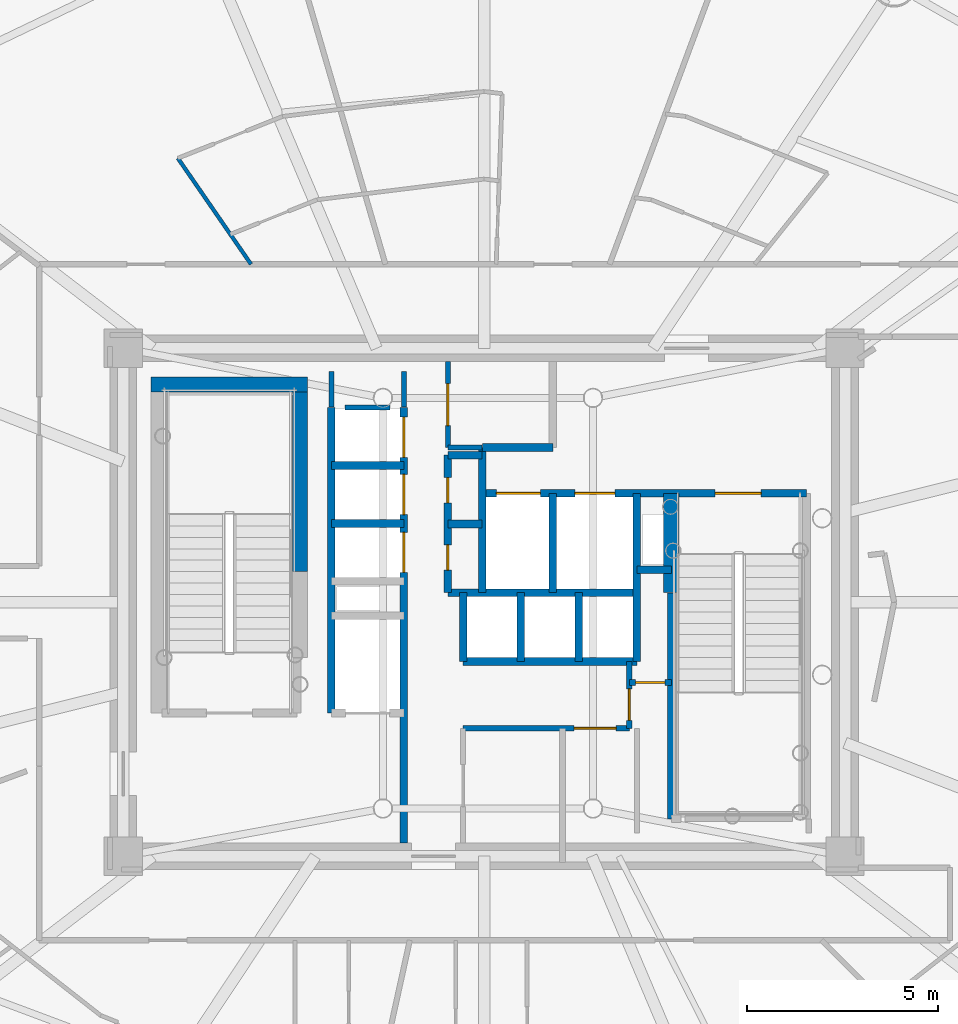
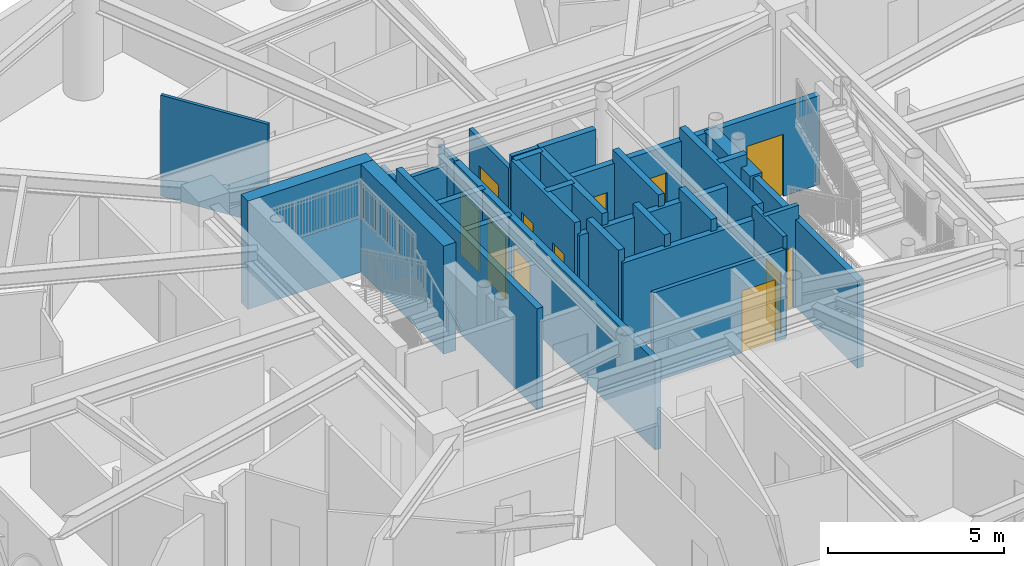
# One storey, part 9 of 20: 31 walls, 12 doors, 12 openings.
"""IFC4 building model written with IfcOpenShell, lengths in metres."""

from ifc_helpers import new_model, si_unit, direction, frame, frame_2d, origin, origin_2d, place, context, subcontext, project, spatial, rectangle, extrude, source, transform, mapped, material, layer, layer_set, type_object, element, fill, save


model = new_model("IFC4")

# Units and contexts
model_context = context("Model", 3, precision=1e-05, world=origin(), true_north=direction((0.0, 1.0)))
body_context = subcontext(model_context, "Body", "Model", "MODEL_VIEW")
ifc_project = project(units=[si_unit("LENGTHUNIT", "METRE"), si_unit("AREAUNIT", "SQUARE_METRE"), si_unit("VOLUMEUNIT", "CUBIC_METRE"), si_unit("PLANEANGLEUNIT", "RADIAN"), si_unit("MASSUNIT", "GRAM", prefix="KILO")], contexts=[model_context])

# Site, building, storey
site_placement = place(None, origin())
site = spatial("IfcSite", under=ifc_project, at=site_placement, CompositionType="ELEMENT")
building_placement = place(site_placement, origin())
building = spatial("IfcBuilding", under=site, at=building_placement, Name="Linh Dai School and Residence Tower", CompositionType="ELEMENT")
storey_placement = place(building_placement, frame((0.0, 0.0, 221.550048828125)))
storey = spatial("IfcBuildingStorey", under=building, at=storey_placement, Name="L54", CompositionType="ELEMENT", Elevation=221.550048828125)

# Wall, opening, door
ifc_material_1 = material(Name="Autoclaved Aerated Concrete Blockwork", Category="masonry")
ifc_layer_1 = layer(ifc_material_1, 0.135009765625)
ifc_layer_set_1 = layer_set([ifc_layer_1], Name="Autoclaved Aerated Concrete Blockwork")
wall_type_1 = type_object("IfcWallType", Name="IW-CORR-135-EI90", PredefinedType="PARTITIONING", material=ifc_layer_set_1)
wall_1_placement = place(storey_placement, frame((35.050048828125, 31.050048828125, 0.0), z_axis=(0.0, 0.0, 1.0), x_axis=(0.0, 1.0, 0.0)))
wall_1 = element("IfcWall", 1, at=wall_1_placement, inside=storey, type_object=wall_type_1, Name="L54 Interior Partition Wall 049", PredefinedType="PARTITIONING", context=body_context, shape_type="SweptSolid", body=[
    extrude(rectangle(XDim=2.25, YDim=0.135009765625, at=frame_2d((1.125, 0.0))), origin(), (0.0, 0.0, 1.0), 3.0849609375),
])
opening_1_placement = place(wall_1_placement, frame((0.574951171875, 0.0, 0.0)))
opening_1 = element("IfcOpeningElement", 2, at=opening_1_placement, cuts=wall_1, Name="Opening D07", PredefinedType="OPENING", context=body_context, shape_type="SweptSolid", body=[
    extrude(rectangle(XDim=1.10009765625, YDim=2.14990234375, at=origin_2d()), frame((0.550048828125, 0.07763671875, 1.074951171875), z_axis=(0.0, -1.0, 0.0), x_axis=(1.0, 0.0, 0.0)), (0.0, 0.0, 1.0), 0.155029296875),
])
ifc_material_2 = material(Name="Fire-Rated Louvred Steel Plant Door", Category="steel")
door_type_1 = type_object("IfcDoorType", Name="DR-PLT-1100x2150-FD60S", OperationType="NOTDEFINED", PredefinedType="DOOR", material=ifc_material_2)
shared_shape_1 = source(origin(), body_context, "Body", "SweptSolid", [
    extrude(rectangle(XDim=1.10009765625, YDim=2.14990234375, at=origin_2d()), frame((0.550048828125, 0.02490234375, 1.074951171875), z_axis=(0.0, -1.0, 0.0), x_axis=(1.0, 0.0, 0.0)), (0.0, 0.0, 1.0), 0.050048828125),
])
door_1_placement = place(opening_1_placement, origin())
door_1 = element("IfcDoor", 3, at=door_1_placement, inside=storey, type_object=door_type_1, Name="L54 North Telecom Switchroom Door", OperationType="SINGLE_SWING_RIGHT", OverallHeight=2.14990234375, OverallWidth=1.10009765625, PredefinedType="DOOR", context=body_context, shape_type="MappedRepresentation", body=[
    mapped(shared_shape_1, transform((0.0, 0.0, 0.0), x_axis=(1.0, 0.0, 0.0), y_axis=(0.0, 1.0, 0.0), z_axis=(0.0, 0.0, 1.0), scale=1.0)),
])
fill(opening_1, door_1)

# Wall
wall_2_placement = place(storey_placement, frame((35.050048828125, 31.050048828125, 0.0), z_axis=(0.0, 0.0, 1.0), x_axis=(1.0, 0.0, 0.0)))
element("IfcWall", 4, at=wall_2_placement, inside=storey, type_object=wall_type_1, Name="L54 Interior Partition Wall 050", PredefinedType="PARTITIONING", context=body_context, shape_type="SweptSolid", body=[
    extrude(rectangle(XDim=0.89990234375, YDim=0.135009765625, at=frame_2d((0.449951171875, 0.0))), origin(), (0.0, 0.0, 1.0), 3.5),
])

# Wall, opening, door
wall_3_placement = place(storey_placement, frame((35.449951171875, 23.699951171875, 0.0), z_axis=(0.0, 0.0, 1.0), x_axis=(1.0, 0.0, 0.0)))
wall_3 = element("IfcWall", 5, at=wall_3_placement, inside=storey, type_object=wall_type_1, Name="L54 Interior Partition Wall 053", PredefinedType="PARTITIONING", context=body_context, shape_type="SweptSolid", body=[
    extrude(rectangle(XDim=4.35009765625, YDim=0.135009765625, at=frame_2d((2.175048828125, 0.0))), origin(), (0.0, 0.0, 1.0), 3.0849609375),
])
opening_2_placement = place(wall_3_placement, frame((2.905029296875, 0.0, 0.0)))
opening_2 = element("IfcOpeningElement", 6, at=opening_2_placement, cuts=wall_3, Name="Opening D07", PredefinedType="OPENING", context=body_context, shape_type="SweptSolid", body=[
    extrude(rectangle(XDim=1.10009765625, YDim=2.14990234375, at=origin_2d()), frame((0.550048828125, 0.07763671875, 1.074951171875), z_axis=(0.0, -1.0, 0.0), x_axis=(1.0, 0.0, 0.0)), (0.0, 0.0, 1.0), 0.155029296875),
])
door_2_placement = place(opening_2_placement, origin())
door_2 = element("IfcDoor", 7, at=door_2_placement, inside=storey, type_object=door_type_1, Name="L54 Telecom Node Room Door", OperationType="SINGLE_SWING_LEFT", OverallHeight=2.14990234375, OverallWidth=1.10009765625, PredefinedType="DOOR", context=body_context, shape_type="MappedRepresentation", body=[
    mapped(shared_shape_1, transform((0.0, 0.0, 0.0), x_axis=(1.0, 0.0, 0.0), y_axis=(0.0, 1.0, 0.0), z_axis=(0.0, 0.0, 1.0), scale=1.0)),
])
fill(opening_2, door_2)

wall_4_placement = place(storey_placement, frame((39.800048828125, 23.699951171875, 0.0), z_axis=(0.0, 0.0, 1.0), x_axis=(0.0, 1.0, 0.0)))
wall_4 = element("IfcWall", 8, at=wall_4_placement, inside=storey, type_object=wall_type_1, Name="L54 Interior Partition Wall 071", PredefinedType="PARTITIONING", context=body_context, shape_type="SweptSolid", body=[
    extrude(rectangle(XDim=1.75, YDim=0.135009765625, at=frame_2d((0.875, 0.0))), origin(), (0.0, 0.0, 1.0), 3.5),
])
opening_3_placement = place(wall_4_placement, frame((0.2099609375, 0.0, 0.0)))
opening_3 = element("IfcOpeningElement", 9, at=opening_3_placement, cuts=wall_4, Name="Opening D06", PredefinedType="OPENING", context=body_context, shape_type="SweptSolid", body=[
    extrude(rectangle(XDim=0.820068359375, YDim=2.10009765625, at=origin_2d()), frame((0.41015625, 0.07763671875, 1.050048828125), z_axis=(0.0, -1.0, 0.0), x_axis=(1.0, 0.0, 0.0)), (0.0, 0.0, 1.0), 0.155029296875),
])
ifc_material_3 = material(Name="Moisture-Resistant Timber Bathroom Door", Category="wood")
door_type_2 = type_object("IfcDoorType", Name="DR-WET-820x2100", OperationType="NOTDEFINED", PredefinedType="DOOR", material=ifc_material_3)
shared_shape_2 = source(origin(), body_context, "Body", "SweptSolid", [
    extrude(rectangle(XDim=0.820068359375, YDim=2.10009765625, at=origin_2d()), frame((0.41015625, 0.02490234375, 1.050048828125), z_axis=(0.0, -1.0, 0.0), x_axis=(1.0, 0.0, 0.0)), (0.0, 0.0, 1.0), 0.050048828125),
])
door_3_placement = place(opening_3_placement, origin())
door_3 = element("IfcDoor", 10, at=door_3_placement, inside=storey, type_object=door_type_2, Name="L54 SE Electrical Closet Door", OperationType="SINGLE_SWING_LEFT", OverallHeight=2.10009765625, OverallWidth=0.820068359375, PredefinedType="DOOR", context=body_context, shape_type="MappedRepresentation", body=[
    mapped(shared_shape_2, transform((0.0, 0.0, 0.0), x_axis=(1.0, 0.0, 0.0), y_axis=(0.0, 1.0, 0.0), z_axis=(0.0, 0.0, 1.0), scale=1.0)),
])
fill(opening_3, door_3)

# Walls
wall_5_placement = place(storey_placement, frame((32.360107421875, 32.10009765625, 0.0), z_axis=(0.0, 0.0, 1.0), x_axis=(1.0, 0.0, 0.0)))
element("IfcWall", 11, at=wall_5_placement, inside=storey, type_object=wall_type_1, Name="L54 Interior Partition Wall 100", PredefinedType="PARTITIONING", context=body_context, shape_type="SweptSolid", body=[
    extrude(rectangle(XDim=1.179931640625, YDim=0.135009765625, at=frame_2d((0.58984375, 0.0))), origin(), (0.0, 0.0, 1.0), 3.0849609375),
])
wall_6_placement = place(storey_placement, frame((32.0, 33.0400390625, 0.0), z_axis=(0.0, 0.0, 1.0), x_axis=(0.0, -1.0, 0.0)))
element("IfcWall", 12, at=wall_6_placement, inside=storey, type_object=wall_type_1, Name="L54 Interior Partition Wall 102", PredefinedType="PARTITIONING", context=body_context, shape_type="SweptSolid", body=[
    extrude(rectangle(XDim=0.929931640625, YDim=0.135009765625, at=frame_2d((0.46484375, 0.0))), origin(), (0.0, 0.0, 1.0), 3.034912109375),
])
wall_7_placement = place(storey_placement, frame((33.89990234375, 32.110107421875, 0.0), z_axis=(0.0, 0.0, 1.0), x_axis=(0.0, 1.0, 0.0)))
element("IfcWall", 13, at=wall_7_placement, inside=storey, type_object=wall_type_1, Name="L54 Interior Partition Wall 104", PredefinedType="PARTITIONING", context=body_context, shape_type="SweptSolid", body=[
    extrude(rectangle(XDim=0.929931640625, YDim=0.135009765625, at=frame_2d((0.46484375, 0.0))), origin(), (0.0, 0.0, 1.0), 3.0849609375),
])

# Wall, opening, door
ifc_layer_2 = layer(ifc_material_1, 0.14990234375)
ifc_layer_set_2 = layer_set([ifc_layer_2], Name="Autoclaved Aerated Concrete Blockwork")
wall_type_2 = type_object("IfcWallType", Name="IW-SCH-150-EI60", PredefinedType="PARTITIONING", material=ifc_layer_set_2)
wall_8_placement = place(storey_placement, frame((39.800048828125, 24.89990234375, 0.0), z_axis=(0.0, 0.0, 1.0), x_axis=(1.0, 0.0, 0.0)))
wall_8 = element("IfcWall", 14, at=wall_8_placement, inside=storey, type_object=wall_type_2, Name="L54 Interior Partition Wall 072", PredefinedType="PARTITIONING", context=body_context, shape_type="SweptSolid", body=[
    extrude(rectangle(XDim=1.099853515625, YDim=0.14990234375, at=frame_2d((0.5498046875, 0.0))), origin(), (0.0, 0.0, 1.0), 3.5),
])
opening_4_placement = place(wall_8_placement, frame((0.169921875, 0.0, 0.0)))
opening_4 = element("IfcOpeningElement", 15, at=opening_4_placement, cuts=wall_8, Name="Opening D08", PredefinedType="OPENING", context=body_context, shape_type="SweptSolid", body=[
    extrude(rectangle(XDim=0.760009765625, YDim=2.10009765625, at=origin_2d()), frame((0.3798828125, 0.0849609375, 1.050048828125), z_axis=(0.0, -1.0, 0.0), x_axis=(1.0, 0.0, 0.0)), (0.0, 0.0, 1.0), 0.169921875),
])
ifc_material_4 = material(Name="Engineered Timber Closet and Study Door", Category="wood")
door_type_3 = type_object("IfcDoorType", Name="DR-CMP-760x2100", OperationType="NOTDEFINED", PredefinedType="DOOR", material=ifc_material_4)
shared_shape_3 = source(origin(), body_context, "Body", "SweptSolid", [
    extrude(rectangle(XDim=0.760009765625, YDim=2.10009765625, at=origin_2d()), frame((0.3798828125, 0.02490234375, 1.050048828125), z_axis=(0.0, -1.0, 0.0), x_axis=(1.0, 0.0, 0.0)), (0.0, 0.0, 1.0), 0.050048828125),
])
door_4_placement = place(opening_4_placement, origin())
door_4 = element("IfcDoor", 16, at=door_4_placement, inside=storey, type_object=door_type_3, Name="L54 NE Equipment Store Door", OperationType="SINGLE_SWING_RIGHT", OverallHeight=2.10009765625, OverallWidth=0.760009765625, PredefinedType="DOOR", context=body_context, shape_type="MappedRepresentation", body=[
    mapped(shared_shape_3, transform((0.0, 0.0, 0.0), x_axis=(1.0, 0.0, 0.0), y_axis=(0.0, 1.0, 0.0), z_axis=(0.0, 0.0, 1.0), scale=1.0)),
])
fill(opening_4, door_4)

# Walls
ifc_material_5 = material(Name="Concrete B45 (C35/45)", Category="concrete")
ifc_layer_3 = layer(ifc_material_5, 0.199951171875)
ifc_layer_set_3 = layer_set([ifc_layer_3], Name="Concrete B45 (C35/45)")
wall_type_3 = type_object("IfcWallType", Name="IW-SHAFT-200-EI120", PredefinedType="PARTITIONING", material=ifc_layer_set_3)
wall_9_placement = place(storey_placement, frame((32.0, 24.10009765625, 0.0), z_axis=(0.0, 0.0, 1.0), x_axis=(0.0, 1.0, 0.0)))
element("IfcWall", 17, at=wall_9_placement, inside=storey, type_object=wall_type_3, Name="L54 Interior Partition Wall 035", PredefinedType="PARTITIONING", context=body_context, shape_type="SweptSolid", body=[
    extrude(rectangle(XDim=8.0, YDim=0.199951171875, at=frame_2d((4.0, 0.0))), origin(), (0.0, 0.0, 1.0), 3.5),
])
for number, where, z_axis, x_axis, name in (
    (18, (32.0, 29.06005859375, 0.0), (0.0, 0.0, 1.0), (1.0, 0.0, 0.0), "L54 Interior Partition Wall 039"),
    (19, (32.0, 30.580078125, 0.0), (0.0, 0.0, 1.0), (1.0, 0.0, 0.0), "L54 Interior Partition Wall 040"),
):
    element("IfcWall", number, at=place(storey_placement, frame(where, z_axis=z_axis, x_axis=x_axis)), inside=storey, type_object=wall_type_3, Name=name, PredefinedType="PARTITIONING", context=body_context, shape_type="SweptSolid", body=[
        extrude(rectangle(XDim=1.89990234375, YDim=0.199951171875, at=frame_2d((0.949951171875, 0.0))), origin(), (0.0, 0.0, 1.0), 3.0849609375),
    ])

# Wall, openings, doors
wall_10_placement = place(storey_placement, frame((33.89990234375, 20.699951171875, 0.0), z_axis=(0.0, 0.0, 1.0), x_axis=(0.0, 1.0, 0.0)))
wall_10 = element("IfcWall", 20, at=wall_10_placement, inside=storey, type_object=wall_type_3, Name="L54 Interior Partition Wall 044", PredefinedType="PARTITIONING", context=body_context, shape_type="SweptSolid", body=[
    extrude(rectangle(XDim=11.400146484375, YDim=0.199951171875, at=frame_2d((5.7001953125, 0.0))), origin(), (0.0, 0.0, 1.0), 3.0849609375),
])
opening_5_placement = place(wall_10_placement, frame((7.080078125, 0.0, 0.0)))
opening_5 = element("IfcOpeningElement", 21, at=opening_5_placement, cuts=wall_10, Name="Opening LD-PL4", PredefinedType="OPENING", context=body_context, shape_type="SweptSolid", body=[
    extrude(rectangle(XDim=1.050048828125, YDim=2.14990234375, at=origin_2d()), frame((0.52490234375, 0.10986328125, 1.074951171875), z_axis=(0.0, -1.0, 0.0), x_axis=(1.0, 0.0, 0.0)), (0.0, 0.0, 1.0), 0.219970703125),
])
opening_6_placement = place(wall_10_placement, frame((8.594970703125, 0.0, 0.0)))
opening_6 = element("IfcOpeningElement", 22, at=opening_6_placement, cuts=wall_10, Name="Opening LD-PL5", PredefinedType="OPENING", context=body_context, shape_type="SweptSolid", body=[
    extrude(rectangle(XDim=1.050048828125, YDim=2.14990234375, at=origin_2d()), frame((0.52490234375, 0.10986328125, 1.074951171875), z_axis=(0.0, -1.0, 0.0), x_axis=(1.0, 0.0, 0.0)), (0.0, 0.0, 1.0), 0.219970703125),
])
opening_7_placement = place(wall_10_placement, frame((10.094970703125, 0.0, 0.0)))
opening_7 = element("IfcOpeningElement", 23, at=opening_7_placement, cuts=wall_10, Name="Opening LD-PL6", PredefinedType="OPENING", context=body_context, shape_type="SweptSolid", body=[
    extrude(rectangle(XDim=1.050048828125, YDim=2.14990234375, at=origin_2d()), frame((0.52490234375, 0.10986328125, 1.074951171875), z_axis=(0.0, -1.0, 0.0), x_axis=(1.0, 0.0, 0.0)), (0.0, 0.0, 1.0), 0.219970703125),
])
ifc_material_6 = material(Name="Brushed Stainless Steel Lift Landing Door", Category="steel")
door_type_4 = type_object("IfcDoorType", Name="DR-LD-PASS-1050x2150", OperationType="DOUBLE_DOOR_SLIDING", PredefinedType="USERDEFINED", material=ifc_material_6)
shared_shape_4 = source(origin(), body_context, "Body", "SweptSolid", [
    extrude(rectangle(XDim=1.050048828125, YDim=2.14990234375, at=origin_2d()), frame((0.52490234375, 0.02490234375, 1.074951171875), z_axis=(0.0, -1.0, 0.0), x_axis=(1.0, 0.0, 0.0)), (0.0, 0.0, 1.0), 0.050048828125),
])
door_5_placement = place(opening_5_placement, origin())
door_5 = element("IfcDoor", 24, at=door_5_placement, inside=storey, type_object=door_type_4, Name="L54 Lift PL4 Sliding Landing Door", ObjectType="LANDING DOOR", OperationType="DOUBLE_DOOR_SLIDING", OverallHeight=2.14990234375, OverallWidth=1.050048828125, PredefinedType="USERDEFINED", context=body_context, shape_type="MappedRepresentation", body=[
    mapped(shared_shape_4, transform((0.0, 0.0, 0.0), x_axis=(1.0, 0.0, 0.0), y_axis=(0.0, 1.0, 0.0), z_axis=(0.0, 0.0, 1.0), scale=1.0)),
])
fill(opening_5, door_5)
door_6_placement = place(opening_6_placement, origin())
door_6 = element("IfcDoor", 25, at=door_6_placement, inside=storey, type_object=door_type_4, Name="L54 Lift PL5 Sliding Landing Door", ObjectType="LANDING DOOR", OperationType="DOUBLE_DOOR_SLIDING", OverallHeight=2.14990234375, OverallWidth=1.050048828125, PredefinedType="USERDEFINED", context=body_context, shape_type="MappedRepresentation", body=[
    mapped(shared_shape_4, transform((0.0, 0.0, 0.0), x_axis=(1.0, 0.0, 0.0), y_axis=(0.0, 1.0, 0.0), z_axis=(0.0, 0.0, 1.0), scale=1.0)),
])
fill(opening_6, door_6)
door_7_placement = place(opening_7_placement, origin())
door_7 = element("IfcDoor", 26, at=door_7_placement, inside=storey, type_object=door_type_4, Name="L54 Lift PL6 Sliding Landing Door", ObjectType="LANDING DOOR", OperationType="DOUBLE_DOOR_SLIDING", OverallHeight=2.14990234375, OverallWidth=1.050048828125, PredefinedType="USERDEFINED", context=body_context, shape_type="MappedRepresentation", body=[
    mapped(shared_shape_4, transform((0.0, 0.0, 0.0), x_axis=(1.0, 0.0, 0.0), y_axis=(0.0, 1.0, 0.0), z_axis=(0.0, 0.0, 1.0), scale=1.0)),
])
fill(opening_7, door_7)

wall_11_placement = place(storey_placement, frame((35.050048828125, 27.25, 0.0), z_axis=(0.0, 0.0, 1.0), x_axis=(0.0, 1.0, 0.0)))
wall_11 = element("IfcWall", 27, at=wall_11_placement, inside=storey, type_object=wall_type_3, Name="L54 Interior Partition Wall 045", PredefinedType="PARTITIONING", context=body_context, shape_type="SweptSolid", body=[
    extrude(rectangle(XDim=3.60009765625, YDim=0.199951171875, at=frame_2d((1.800048828125, 0.0))), origin(), (0.0, 0.0, 1.0), 3.5),
])
opening_8_placement = place(wall_11_placement, frame((0.590087890625, 0.0, 0.0)))
opening_8 = element("IfcOpeningElement", 28, at=opening_8_placement, cuts=wall_11, Name="Opening AD1", PredefinedType="OPENING", context=body_context, shape_type="SweptSolid", body=[
    extrude(rectangle(XDim=0.659912109375, YDim=2.050048828125, at=origin_2d()), frame((0.330078125, 0.10986328125, 1.02490234375), z_axis=(0.0, -1.0, 0.0), x_axis=(1.0, 0.0, 0.0)), (0.0, 0.0, 1.0), 0.219970703125),
])
opening_9_placement = place(wall_11_placement, frame((2.35009765625, 0.0, 0.0)))
opening_9 = element("IfcOpeningElement", 29, at=opening_9_placement, cuts=wall_11, Name="Opening AD1", PredefinedType="OPENING", context=body_context, shape_type="SweptSolid", body=[
    extrude(rectangle(XDim=0.659912109375, YDim=2.050048828125, at=origin_2d()), frame((0.330078125, 0.10986328125, 1.02490234375), z_axis=(0.0, -1.0, 0.0), x_axis=(1.0, 0.0, 0.0)), (0.0, 0.0, 1.0), 0.219970703125),
])
ifc_material_7 = material(Name="Fire-Rated Steel Riser Access Door", Category="steel")
door_type_5 = type_object("IfcDoorType", Name="DR-ACC-660x2050-FD90S", OperationType="NOTDEFINED", PredefinedType="USERDEFINED", material=ifc_material_7)
shared_shape_5 = source(origin(), body_context, "Body", "SweptSolid", [
    extrude(rectangle(XDim=0.659912109375, YDim=2.050048828125, at=origin_2d()), frame((0.330078125, 0.02490234375, 1.02490234375), z_axis=(0.0, -1.0, 0.0), x_axis=(1.0, 0.0, 0.0)), (0.0, 0.0, 1.0), 0.050048828125),
])
door_8_placement = place(opening_8_placement, origin())
door_8 = element("IfcDoor", 30, at=door_8_placement, inside=storey, type_object=door_type_5, Name="L54 Telecom and Data Riser Access Door", ObjectType="ACCESS DOOR", OperationType="SINGLE_SWING_RIGHT", OverallHeight=2.050048828125, OverallWidth=0.659912109375, PredefinedType="USERDEFINED", context=body_context, shape_type="MappedRepresentation", body=[
    mapped(shared_shape_5, transform((0.0, 0.0, 0.0), x_axis=(1.0, 0.0, 0.0), y_axis=(0.0, 1.0, 0.0), z_axis=(0.0, 0.0, 1.0), scale=1.0)),
])
fill(opening_8, door_8)
door_9_placement = place(opening_9_placement, origin())
door_9 = element("IfcDoor", 31, at=door_9_placement, inside=storey, type_object=door_type_5, Name="L54 Mechanical and Plumbing Riser Access Door", ObjectType="ACCESS DOOR", OperationType="SINGLE_SWING_LEFT", OverallHeight=2.050048828125, OverallWidth=0.659912109375, PredefinedType="USERDEFINED", context=body_context, shape_type="MappedRepresentation", body=[
    mapped(shared_shape_5, transform((0.0, 0.0, 0.0), x_axis=(1.0, 0.0, 0.0), y_axis=(0.0, 1.0, 0.0), z_axis=(0.0, 0.0, 1.0), scale=1.0)),
])
fill(opening_9, door_9)

# Walls
wall_12_placement = place(storey_placement, frame((35.050048828125, 27.25, 0.0), z_axis=(0.0, 0.0, 1.0), x_axis=(1.0, 0.0, 0.0)))
element("IfcWall", 32, at=wall_12_placement, inside=storey, type_object=wall_type_3, Name="L54 Interior Partition Wall 046", PredefinedType="PARTITIONING", context=body_context, shape_type="SweptSolid", body=[
    extrude(rectangle(XDim=4.949951171875, YDim=0.199951171875, at=frame_2d((2.47509765625, 0.0))), origin(), (0.0, 0.0, 1.0), 3.0849609375),
])
for number, where, z_axis, x_axis, name in (
    (33, (35.050048828125, 29.050048828125, 0.0), (0.0, 0.0, 1.0), (1.0, 0.0, 0.0), "L54 Interior Partition Wall 047"),
    (34, (35.050048828125, 30.85009765625, 0.0), (0.0, 0.0, 1.0), (1.0, 0.0, 0.0), "L54 Interior Partition Wall 048"),
):
    element("IfcWall", number, at=place(storey_placement, frame(where, z_axis=z_axis, x_axis=x_axis)), inside=storey, type_object=wall_type_3, Name=name, PredefinedType="PARTITIONING", context=body_context, shape_type="SweptSolid", body=[
        extrude(rectangle(XDim=0.89990234375, YDim=0.199951171875, at=frame_2d((0.449951171875, 0.0))), origin(), (0.0, 0.0, 1.0), 3.5),
    ])
wall_13_placement = place(storey_placement, frame((35.449951171875, 25.449951171875, 0.0), z_axis=(0.0, 0.0, 1.0), x_axis=(0.0, 1.0, 0.0)))
element("IfcWall", 35, at=wall_13_placement, inside=storey, type_object=wall_type_3, Name="L54 Interior Partition Wall 054", PredefinedType="PARTITIONING", context=body_context, shape_type="SweptSolid", body=[
    extrude(rectangle(XDim=1.800048828125, YDim=0.199951171875, at=frame_2d((0.89990234375, 0.0))), origin(), (0.0, 0.0, 1.0), 3.5),
])
wall_14_placement = place(storey_placement, frame((35.449951171875, 25.449951171875, 0.0), z_axis=(0.0, 0.0, 1.0), x_axis=(1.0, 0.0, 0.0)))
element("IfcWall", 36, at=wall_14_placement, inside=storey, type_object=wall_type_3, Name="L54 Interior Partition Wall 055", PredefinedType="PARTITIONING", context=body_context, shape_type="SweptSolid", body=[
    extrude(rectangle(XDim=4.550048828125, YDim=0.199951171875, at=frame_2d((2.27490234375, 0.0))), origin(), (0.0, 0.0, 1.0), 3.0849609375),
])
wall_15_placement = place(storey_placement, frame((35.949951171875, 27.25, 0.0), z_axis=(0.0, 0.0, 1.0), x_axis=(0.0, 1.0, 0.0)))
element("IfcWall", 37, at=wall_15_placement, inside=storey, type_object=wall_type_3, Name="L54 Interior Partition Wall 056", PredefinedType="PARTITIONING", context=body_context, shape_type="SweptSolid", body=[
    extrude(rectangle(XDim=3.800048828125, YDim=0.199951171875, at=frame_2d((1.89990234375, 0.0))), origin(), (0.0, 0.0, 1.0), 3.5),
])

# Wall, openings, doors
wall_16_placement = place(storey_placement, frame((35.949951171875, 29.85009765625, 0.0), z_axis=(0.0, 0.0, 1.0), x_axis=(1.0, 0.0, 0.0)))
wall_16 = element("IfcWall", 38, at=wall_16_placement, inside=storey, type_object=wall_type_3, Name="L54 Interior Partition Wall 057", PredefinedType="PARTITIONING", context=body_context, shape_type="SweptSolid", body=[
    extrude(rectangle(XDim=8.489990234375, YDim=0.199951171875, at=frame_2d((4.2451171875, 0.0))), origin(), (0.0, 0.0, 1.0), 3.0849609375),
])
opening_10_placement = place(wall_16_placement, frame((6.10009765625, 0.0, 0.0)))
opening_10 = element("IfcOpeningElement", 39, at=opening_10_placement, cuts=wall_16, Name="Opening D01", PredefinedType="OPENING", context=body_context, shape_type="SweptSolid", body=[
    extrude(rectangle(XDim=1.199951171875, YDim=2.14990234375, at=origin_2d()), frame((0.60009765625, 0.10986328125, 1.074951171875), z_axis=(0.0, -1.0, 0.0), x_axis=(1.0, 0.0, 0.0)), (0.0, 0.0, 1.0), 0.219970703125),
])
opening_11_placement = place(wall_16_placement, frame((0.3701171875, 0.0, 0.0)))
opening_11 = element("IfcOpeningElement", 40, at=opening_11_placement, cuts=wall_16, Name="Opening LD-FF1", PredefinedType="OPENING", context=body_context, shape_type="SweptSolid", body=[
    extrude(rectangle(XDim=1.14990234375, YDim=2.14990234375, at=origin_2d()), frame((0.574951171875, 0.10986328125, 1.074951171875), z_axis=(0.0, -1.0, 0.0), x_axis=(1.0, 0.0, 0.0)), (0.0, 0.0, 1.0), 0.219970703125),
])
opening_12_placement = place(wall_16_placement, frame((2.425048828125, 0.0, 0.0)))
opening_12 = element("IfcOpeningElement", 41, at=opening_12_placement, cuts=wall_16, Name="Opening LD-SV1", PredefinedType="OPENING", context=body_context, shape_type="SweptSolid", body=[
    extrude(rectangle(XDim=1.050048828125, YDim=2.14990234375, at=origin_2d()), frame((0.52490234375, 0.10986328125, 1.074951171875), z_axis=(0.0, -1.0, 0.0), x_axis=(1.0, 0.0, 0.0)), (0.0, 0.0, 1.0), 0.219970703125),
])
ifc_material_8 = material(Name="Fire-Rated Steel Door Leaf", Category="steel")
door_type_6 = type_object("IfcDoorType", Name="DR-STAIR-1200x2150-FD90S", OperationType="NOTDEFINED", PredefinedType="DOOR", material=ifc_material_8)
shared_shape_6 = source(origin(), body_context, "Body", "SweptSolid", [
    extrude(rectangle(XDim=1.199951171875, YDim=2.14990234375, at=origin_2d()), frame((0.60009765625, 0.02490234375, 1.074951171875), z_axis=(0.0, -1.0, 0.0), x_axis=(1.0, 0.0, 0.0)), (0.0, 0.0, 1.0), 0.050048828125),
])
door_10_placement = place(opening_10_placement, origin())
door_10 = element("IfcDoor", 42, at=door_10_placement, inside=storey, type_object=door_type_6, Name="L54 Core Smokeproof Exit Stair ST2 Door", OperationType="SINGLE_SWING_RIGHT", OverallHeight=2.14990234375, OverallWidth=1.199951171875, PredefinedType="DOOR", context=body_context, shape_type="MappedRepresentation", body=[
    mapped(shared_shape_6, transform((0.0, 0.0, 0.0), x_axis=(1.0, 0.0, 0.0), y_axis=(0.0, 1.0, 0.0), z_axis=(0.0, 0.0, 1.0), scale=1.0)),
])
fill(opening_10, door_10)
ifc_material_9 = material(Name="Fire-Rated Stainless Steel Firefighting Lift Door", Category="steel")
door_type_7 = type_object("IfcDoorType", Name="DR-LD-FF-1150x2150-FD120", OperationType="DOUBLE_DOOR_SLIDING", PredefinedType="USERDEFINED", material=ifc_material_9)
shared_shape_7 = source(origin(), body_context, "Body", "SweptSolid", [
    extrude(rectangle(XDim=1.14990234375, YDim=2.14990234375, at=origin_2d()), frame((0.574951171875, 0.02490234375, 1.074951171875), z_axis=(0.0, -1.0, 0.0), x_axis=(1.0, 0.0, 0.0)), (0.0, 0.0, 1.0), 0.050048828125),
])
door_11_placement = place(opening_11_placement, origin())
door_11 = element("IfcDoor", 43, at=door_11_placement, inside=storey, type_object=door_type_7, Name="L54 Lift FF1 Sliding Landing Door", ObjectType="LANDING DOOR", OperationType="DOUBLE_DOOR_SLIDING", OverallHeight=2.14990234375, OverallWidth=1.14990234375, PredefinedType="USERDEFINED", context=body_context, shape_type="MappedRepresentation", body=[
    mapped(shared_shape_7, transform((0.0, 0.0, 0.0), x_axis=(1.0, 0.0, 0.0), y_axis=(0.0, 1.0, 0.0), z_axis=(0.0, 0.0, 1.0), scale=1.0)),
])
fill(opening_11, door_11)
door_12_placement = place(opening_12_placement, origin())
door_12 = element("IfcDoor", 44, at=door_12_placement, inside=storey, type_object=door_type_4, Name="L54 Lift SV1 Sliding Landing Door", ObjectType="LANDING DOOR", OperationType="DOUBLE_DOOR_SLIDING", OverallHeight=2.14990234375, OverallWidth=1.050048828125, PredefinedType="USERDEFINED", context=body_context, shape_type="MappedRepresentation", body=[
    mapped(shared_shape_4, transform((0.0, 0.0, 0.0), x_axis=(1.0, 0.0, 0.0), y_axis=(0.0, 1.0, 0.0), z_axis=(0.0, 0.0, 1.0), scale=1.0)),
])
fill(opening_12, door_12)

# Walls
wall_17_placement = place(storey_placement, frame((35.9599609375, 31.050048828125, 0.0), z_axis=(0.0, 0.0, 1.0), x_axis=(1.0, 0.0, 0.0)))
element("IfcWall", 45, at=wall_17_placement, inside=storey, type_object=wall_type_3, Name="L54 Interior Partition Wall 058", PredefinedType="PARTITIONING", context=body_context, shape_type="SweptSolid", body=[
    extrude(rectangle(XDim=1.840087890625, YDim=0.199951171875, at=frame_2d((0.919921875, 0.0))), origin(), (0.0, 0.0, 1.0), 3.5),
])
wall_18_placement = place(storey_placement, frame((36.9599609375, 25.449951171875, 0.0), z_axis=(0.0, 0.0, 1.0), x_axis=(0.0, 1.0, 0.0)))
element("IfcWall", 46, at=wall_18_placement, inside=storey, type_object=wall_type_3, Name="L54 Interior Partition Wall 063", PredefinedType="PARTITIONING", context=body_context, shape_type="SweptSolid", body=[
    extrude(rectangle(XDim=1.800048828125, YDim=0.199951171875, at=frame_2d((0.89990234375, 0.0))), origin(), (0.0, 0.0, 1.0), 3.5),
])
wall_19_placement = place(storey_placement, frame((37.800048828125, 27.25, 0.0), z_axis=(0.0, 0.0, 1.0), x_axis=(0.0, 1.0, 0.0)))
element("IfcWall", 47, at=wall_19_placement, inside=storey, type_object=wall_type_3, Name="L54 Interior Partition Wall 065", PredefinedType="PARTITIONING", context=body_context, shape_type="SweptSolid", body=[
    extrude(rectangle(XDim=2.60009765625, YDim=0.199951171875, at=frame_2d((1.300048828125, 0.0))), origin(), (0.0, 0.0, 1.0), 3.5),
])
wall_20_placement = place(storey_placement, frame((38.47998046875, 25.449951171875, 0.0), z_axis=(0.0, 0.0, 1.0), x_axis=(0.0, 1.0, 0.0)))
element("IfcWall", 48, at=wall_20_placement, inside=storey, type_object=wall_type_3, Name="L54 Interior Partition Wall 068", PredefinedType="PARTITIONING", context=body_context, shape_type="SweptSolid", body=[
    extrude(rectangle(XDim=1.800048828125, YDim=0.199951171875, at=frame_2d((0.89990234375, 0.0))), origin(), (0.0, 0.0, 1.0), 3.5),
])
wall_21_placement = place(storey_placement, frame((40.0, 25.449951171875, 0.0), z_axis=(0.0, 0.0, 1.0), x_axis=(0.0, 1.0, 0.0)))
element("IfcWall", 49, at=wall_21_placement, inside=storey, type_object=wall_type_3, Name="L54 Interior Partition Wall 074", PredefinedType="PARTITIONING", context=body_context, shape_type="SweptSolid", body=[
    extrude(rectangle(XDim=4.400146484375, YDim=0.199951171875, at=frame_2d((2.2001953125, 0.0))), origin(), (0.0, 0.0, 1.0), 3.5),
])
wall_22_placement = place(storey_placement, frame((40.0, 27.85009765625, 0.0), z_axis=(0.0, 0.0, 1.0), x_axis=(1.0, 0.0, 0.0)))
element("IfcWall", 50, at=wall_22_placement, inside=storey, type_object=wall_type_3, Name="L54 Interior Partition Wall 075", PredefinedType="PARTITIONING", context=body_context, shape_type="SweptSolid", body=[
    extrude(rectangle(XDim=0.89990234375, YDim=0.199951171875, at=frame_2d((0.449951171875, 0.0))), origin(), (0.0, 0.0, 1.0), 3.5),
])
wall_23_placement = place(storey_placement, frame((40.89990234375, 21.330078125, 0.0), z_axis=(0.0, 0.0, 1.0), x_axis=(0.0, 1.0, 0.0)))
element("IfcWall", 51, at=wall_23_placement, inside=storey, type_object=wall_type_3, Name="L54 Interior Partition Wall 078", PredefinedType="PARTITIONING", context=body_context, shape_type="SweptSolid", body=[
    extrude(rectangle(XDim=5.909912109375, YDim=0.199951171875, at=frame_2d((2.955078125, 0.0))), origin(), (0.0, 0.0, 1.0), 3.034912109375),
])
ifc_material_10 = material(Name="Gypsum Plasterboard Acoustic Stud Partition", Category="masonry")
ifc_layer_4 = layer(ifc_material_10, 0.10009765625)
ifc_layer_set_4 = layer_set([ifc_layer_4], Name="Gypsum Plasterboard Acoustic Stud Partition")
wall_type_4 = type_object("IfcWallType", Name="IW-UNIT-100", PredefinedType="PARTITIONING", material=ifc_layer_set_4)
wall_24_placement = place(storey_placement, frame((27.98193359375, 38.625732421875, 0.0), z_axis=(0.0, 0.0, 1.0), x_axis=(0.56776340906, -0.823191782838, 0.0)))
element("IfcWall", 52, at=wall_24_placement, inside=storey, type_object=wall_type_4, Name="L54 Interior Partition Wall 026", PredefinedType="PARTITIONING", context=body_context, shape_type="SweptSolid", body=[
    extrude(rectangle(XDim=3.3720703125, YDim=0.10009765625, at=frame_2d((1.68603515625, 0.0))), origin(), (0.0, 0.0, 1.0), 3.5),
])
ifc_layer_5 = layer(ifc_material_5, 0.39990234375)
ifc_layer_set_5 = layer_set([ifc_layer_5], Name="Concrete B45 (C35/45)")
wall_type_5 = type_object("IfcWallType", Name="WL-CORE400", PredefinedType="SHEAR", material=ifc_layer_set_5)
wall_25_placement = place(storey_placement, frame((31.179931640625, 27.800048828125, 0.0), z_axis=(0.0, 0.0, 1.0), x_axis=(0.0, 1.0, 0.0)))
element("IfcWall", 53, at=wall_25_placement, inside=storey, type_object=wall_type_5, Name="L54 Core Stair ST1 Bearing Wall E", PredefinedType="SHEAR", context=body_context, shape_type="SweptSolid", body=[
    extrude(rectangle(XDim=4.89990234375, YDim=0.39990234375, at=frame_2d((2.449951171875, 0.0))), origin(), (0.0, 0.0, 1.0), 3.75),
])
wall_26_placement = place(storey_placement, frame((27.280029296875, 32.699951171875, 0.0), z_axis=(0.0, 0.0, 1.0), x_axis=(1.0, 0.0, 0.0)))
element("IfcWall", 54, at=wall_26_placement, inside=storey, type_object=wall_type_5, Name="L54 Core Stair ST1 Bearing Wall N", PredefinedType="SHEAR", context=body_context, shape_type="SweptSolid", body=[
    extrude(rectangle(XDim=4.099853515625, YDim=0.39990234375, at=frame_2d((2.0498046875, 0.0))), origin(), (0.0, 0.0, 1.0), 3.75),
])
wall_27_placement = place(storey_placement, frame((40.89990234375, 27.25, 0.0), z_axis=(0.0, 0.0, 1.0), x_axis=(0.0, 1.0, 0.0)))
element("IfcWall", 55, at=wall_27_placement, inside=storey, type_object=wall_type_5, Name="L54 Internal Core Shear Wall IE", PredefinedType="SHEAR", context=body_context, shape_type="SweptSolid", body=[
    extrude(rectangle(XDim=2.60009765625, YDim=0.39990234375, at=frame_2d((1.300048828125, 0.0))), origin(), (0.0, 0.0, 1.0), 3.099853515625),
])

save(model, "model.ifc")
